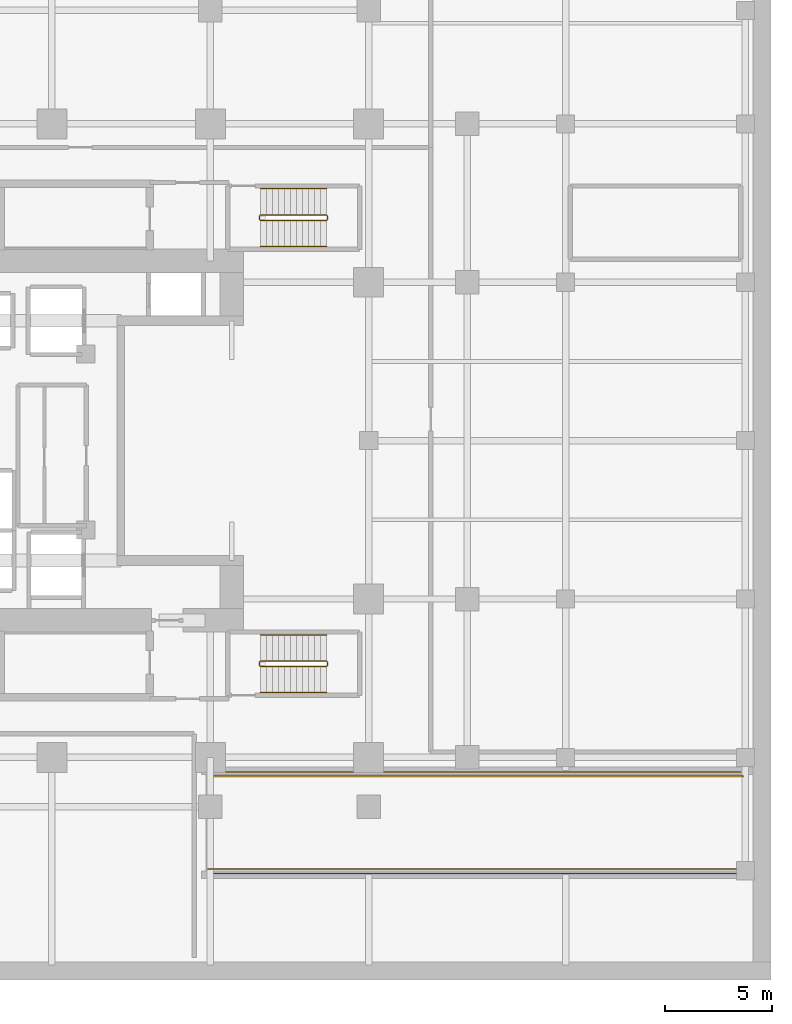
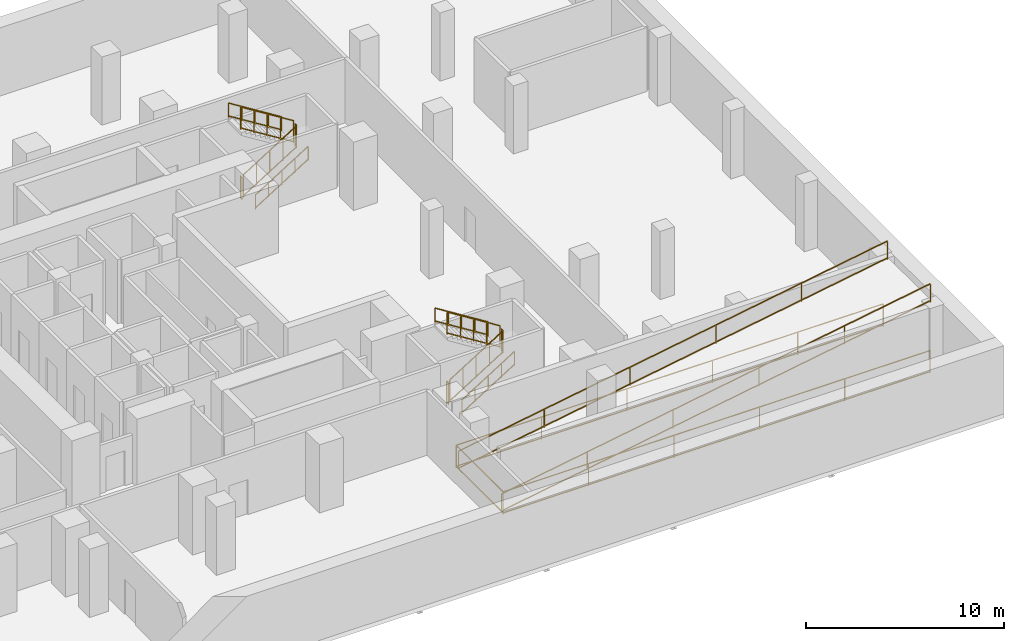
# One storey, part 7 of 7: 15 railings.
"""IFC4 building model written with IfcOpenShell, lengths in metres."""

import ifcopenshell
import ifcopenshell.guid

model = None  # the IFC model being written
_history = None  # IfcOwnerHistory: only IFC2X3 demands one
_inside = {}  # id of a spatial element -> (the spatial element, [elements in it])
_under = {}  # id of a project, library or spatial element -> (it, [spatial elements below it])
_declared = {}  # id of a project -> (the project, [libraries it declares])
_typed = {}  # id of a type object -> (the type object, [elements of that type])
_made_of = {}  # id of a material, layer set ... -> (it, [elements and type objects made of it])


def new_model(schema):
    """Start an empty IFC model of exactly this schema.

    Asked for "IFC4X3", IfcOpenShell would pick the latest addendum, in which some entities
    have other attributes; the version numbers below select the first issue.
    IFC2X3 requires an IfcOwnerHistory on every rooted entity: one is made here for all.
    """
    global model, _history
    if schema == "IFC4X3":
        model = ifcopenshell.file(schema_version=(4, 3, 0, 0))
    else:
        model = ifcopenshell.file(schema=schema)
    _inside.clear()
    _under.clear()
    _declared.clear()
    _typed.clear()
    _made_of.clear()
    _history = None
    if model.schema == "IFC2X3":
        org = make("IfcOrganization", Name="unknown")
        user = make(
            "IfcPersonAndOrganization",
            ThePerson=make("IfcPerson", FamilyName="unknown"),
            TheOrganization=org,
        )
        app = make(
            "IfcApplication",
            ApplicationDeveloper=org,
            Version="unknown",
            ApplicationFullName="unknown",
            ApplicationIdentifier="unknown",
        )
        _history = make(
            "IfcOwnerHistory",
            OwningUser=user,
            OwningApplication=app,
            ChangeAction="ADDED",
            CreationDate=0,
        )
    return model


def make(cls, **values):
    """One entity of the class cls with the attributes given. An attribute that is None is left unset."""
    return model.create_entity(
        cls, **{name: value for name, value in values.items() if value is not None}
    )


def rooted(cls, **values):
    """An entity with a GlobalId (a new one), such as an element, a storey or a relation."""
    return make(cls, GlobalId=ifcopenshell.guid.new(), OwnerHistory=_history, **values)


def si_unit(unit_type, name, prefix=None):
    """IfcSIUnit, for example si_unit("LENGTHUNIT", "METRE", prefix="MILLI")."""
    return make("IfcSIUnit", UnitType=unit_type, Prefix=prefix, Name=name)


def assignment(units):
    """IfcUnitAssignment: the units of a project."""
    return None if units is None else make("IfcUnitAssignment", Units=units)


def point(xyz):
    """IfcCartesianPoint."""
    return None if xyz is None else make("IfcCartesianPoint", Coordinates=xyz)


def direction(xyz):
    """IfcDirection."""
    return None if xyz is None else make("IfcDirection", DirectionRatios=xyz)


def frame(location, z_axis=None, x_axis=None):
    """IfcAxis2Placement3D, a coordinate frame: its origin and axes. An axis left out is left unset."""
    return make(
        "IfcAxis2Placement3D",
        Location=point(location),
        Axis=direction(z_axis),
        RefDirection=direction(x_axis),
    )


def frame_2d(location, x_axis=None):
    """IfcAxis2Placement2D, a coordinate frame in the plane: its origin and x axis."""
    return make(
        "IfcAxis2Placement2D", Location=point(location), RefDirection=direction(x_axis)
    )


def origin():
    """The frame at (0, 0, 0) with its axes left unset."""
    return frame((0.0, 0.0, 0.0))


def origin_2d():
    """The frame at (0, 0) in the plane with its x axis left unset."""
    return frame_2d((0.0, 0.0))


def place(relative_to, where):
    """IfcLocalPlacement: puts the frame where relative to a parent placement (None: the world)."""
    return make(
        "IfcLocalPlacement", PlacementRelTo=relative_to, RelativePlacement=where
    )


def context(
    kind, dimensions, precision=None, world=None, true_north=None, identifier=None
):
    """IfcGeometricRepresentationContext, for example the 3D "Model" context."""
    return make(
        "IfcGeometricRepresentationContext",
        ContextIdentifier=identifier,
        ContextType=kind,
        CoordinateSpaceDimension=dimensions,
        Precision=precision,
        WorldCoordinateSystem=world,
        TrueNorth=true_north,
    )


def subcontext(parent, identifier, kind, view, scale=None):
    """IfcGeometricRepresentationSubContext, for example "Body" below "Model"."""
    return make(
        "IfcGeometricRepresentationSubContext",
        ContextIdentifier=identifier,
        ContextType=kind,
        ParentContext=parent,
        TargetScale=scale,
        TargetView=view,
    )


def project(units=None, contexts=None):
    """IfcProject with its units and contexts."""
    return rooted(
        "IfcProject",
        Name="project",
        RepresentationContexts=contexts,
        UnitsInContext=assignment(units),
    )


def spatial(cls, under=None, at=None, **own):
    """A site, building, storey or space (cls), placed at a placement, below another one or the project."""
    s = rooted(cls, ObjectPlacement=at, **own)
    if under is not None:
        _under.setdefault(under.id(), (under, []))[1].append(s)
    return s


def profile(cls, at=None, kind="AREA", **sizes):
    """A parametric profile (cls). Its sizes go by their IFC names, for example OverallWidth=200.0."""
    return make(cls, ProfileType=kind, Position=at, **sizes)


def rectangle(**sizes):
    """IfcRectangleProfileDef."""
    return profile("IfcRectangleProfileDef", **sizes)


def extrude(swept, where, along, depth):
    """IfcExtrudedAreaSolid: the profile swept, set in the frame where, extruded along a direction by depth."""
    return make(
        "IfcExtrudedAreaSolid",
        SweptArea=swept,
        Position=where,
        ExtrudedDirection=direction(along),
        Depth=depth,
    )


def shape(context_of_items, identifier, shape_type, items):
    """IfcShapeRepresentation: the items that make up one representation, for example the "Body"."""
    return make(
        "IfcShapeRepresentation",
        ContextOfItems=context_of_items,
        RepresentationIdentifier=identifier,
        RepresentationType=shape_type,
        Items=items,
    )


def material(Name=None, Category=None):
    """IfcMaterial."""
    return make("IfcMaterial", Name=Name, Category=Category)


def made_of(thing, what):
    """Note that an element or type object is made of a material, layer set ...; save() writes the relation."""
    if what is not None:
        _made_of.setdefault(what.id(), (what, []))[1].append(thing)
    return thing


def type_object(cls, material=None, **own):
    """A type object (cls), such as IfcWallType, which elements share."""
    return made_of(rooted(cls, **own), material)


def element(
    cls,
    number,
    at=None,
    inside=None,
    cuts=None,
    type_object=None,
    material=None,
    context=None,
    identifier="Body",
    shape_type=None,
    held_by="IfcProductDefinitionShape",
    body=None,
    shapes=None,
    **own,
):
    """One element of the class cls, such as IfcWall. Its Tag is "e" and its number.

    at: its placement. inside: the storey or other place that contains it. cuts: it is an
    opening in that element (IfcRelVoidsElement). A single representation is given by context,
    identifier, shape_type and body (its items); several are given by shapes. held_by: the class
    of the entity that holds the representations. save() writes the other relations.
    """
    e = rooted(cls, Tag="e%d" % number, ObjectPlacement=at, **own)
    if body is not None:
        shapes = [shape(context, identifier, shape_type, body)]
    if shapes is not None:
        e.Representation = make(held_by, Representations=shapes)
    if inside is not None:
        _inside.setdefault(inside.id(), (inside, []))[1].append(e)
    if cuts is not None:
        rooted(
            "IfcRelVoidsElement", RelatingBuildingElement=cuts, RelatedOpeningElement=e
        )
    if type_object is not None:
        _typed.setdefault(type_object.id(), (type_object, []))[1].append(e)
    return made_of(e, material)


def aggregate(whole, parts):
    """IfcRelAggregates: a whole, such as a stair, and the parts it consists of."""
    return rooted("IfcRelAggregates", RelatingObject=whole, RelatedObjects=parts)


def save(model, path):
    """Write the relations noted so far, then the file.

    IfcRelAggregates (storeys below a building ...), IfcRelContainedInSpatialStructure (elements
    in a storey), IfcRelDefinesByType, IfcRelAssociatesMaterial and IfcRelDeclares: one each for
    every whole, place, type object, material and project.
    """
    for whole, parts in _under.values():
        aggregate(whole, parts)
    for where, things in _inside.values():
        rooted(
            "IfcRelContainedInSpatialStructure",
            RelatedElements=things,
            RelatingStructure=where,
        )
    for kind, things in _typed.values():
        rooted("IfcRelDefinesByType", RelatedObjects=things, RelatingType=kind)
    for what, things in _made_of.values():
        rooted("IfcRelAssociatesMaterial", RelatedObjects=things, RelatingMaterial=what)
    for by, libraries in _declared.values():
        rooted("IfcRelDeclares", RelatingContext=by, RelatedDefinitions=libraries)
    model.write(path)


model = new_model("IFC4")

# Units and contexts
model_context = context("Model", 3, precision=1e-05, world=origin(), true_north=direction((0.0, 1.0)))
body_context = subcontext(model_context, "Body", "Model", "MODEL_VIEW")
ifc_project = project(units=[si_unit("LENGTHUNIT", "METRE"), si_unit("AREAUNIT", "SQUARE_METRE"), si_unit("VOLUMEUNIT", "CUBIC_METRE"), si_unit("PLANEANGLEUNIT", "RADIAN"), si_unit("MASSUNIT", "GRAM", prefix="KILO")], contexts=[model_context])

# Site, building, storey
site_placement = place(None, origin())
site = spatial("IfcSite", under=ifc_project, at=site_placement, CompositionType="ELEMENT")
building_placement = place(site_placement, origin())
building = spatial("IfcBuilding", under=site, at=building_placement, Name="Khorvyn Point Tower", CompositionType="ELEMENT")
storey_placement = place(building_placement, frame((0.0, 0.0, -8.39990234375)))
storey = spatial("IfcBuildingStorey", under=building, at=storey_placement, Name="B2", CompositionType="ELEMENT", Elevation=-8.39990234375)

# Railings
ifc_material = material(Name="Stainless steel 1.4301", Category="steel")
railing_type_1 = type_object("IfcRailingType", Name="Stainless Steel 304 Stair Pitch Handrail 900", PredefinedType="HANDRAIL", material=ifc_material)
railing_1_placement = place(storey_placement, frame((9.75, -11.77001953125, 0.1748046875)))
element("IfcRailing", 1, at=railing_1_placement, inside=storey, type_object=railing_type_1, Name="B2 ST-B1 stair handrail 1", PredefinedType="HANDRAIL", context=body_context, shape_type="SweptSolid", body=[
    extrude(rectangle(XDim=0.048095703125, YDim=0.048095703125, at=origin_2d()), frame((0.0, 0.0, 0.8759765625), z_axis=(0.847998304005, 0.0, 0.529998940003), x_axis=(0.0, 1.0, 0.0)), (0.0, 0.0, 1.0), 3.632080078125),
    extrude(rectangle(XDim=0.048095703125, YDim=0.048095703125, at=origin_2d()), frame((0.0, 0.0, 0.080078125), z_axis=(0.847998304005, 0.0, 0.529998940003), x_axis=(0.0, 1.0, 0.0)), (0.0, 0.0, 1.0), 3.632080078125),
    extrude(rectangle(XDim=0.0419921875, YDim=0.0419921875, at=origin_2d()), origin(), (0.0, 0.0, 1.0), 0.851806640625),
    extrude(rectangle(XDim=0.0419921875, YDim=0.0419921875, at=origin_2d()), frame((0.77001953125, 0.0, 0.481201171875)), (0.0, 0.0, 1.0), 0.851806640625),
    extrude(rectangle(XDim=0.0419921875, YDim=0.0419921875, at=origin_2d()), frame((1.5400390625, 0.0, 0.96240234375)), (0.0, 0.0, 1.0), 0.851806640625),
    extrude(rectangle(XDim=0.0419921875, YDim=0.0419921875, at=origin_2d()), frame((2.31005859375, 0.0, 1.44384765625)), (0.0, 0.0, 1.0), 0.851806640625),
    extrude(rectangle(XDim=0.0419921875, YDim=0.0419921875, at=origin_2d()), frame((3.080078125, 0.0, 1.925048828125)), (0.0, 0.0, 1.0), 0.851806640625),
])
railing_2_placement = place(storey_placement, frame((12.830078125, -9.070068359375, 2.27490234375)))
element("IfcRailing", 2, at=railing_2_placement, inside=storey, type_object=railing_type_1, Name="B2 ST-B1 stair handrail 2", PredefinedType="HANDRAIL", context=body_context, shape_type="SweptSolid", body=[
    extrude(rectangle(XDim=0.048095703125, YDim=0.048095703125, at=origin_2d()), frame((0.0, 0.0, 0.8759765625), z_axis=(-0.847998304005, 0.0, 0.529998940003), x_axis=(0.0, -1.0, 0.0)), (0.0, 0.0, 1.0), 3.632080078125),
    extrude(rectangle(XDim=0.048095703125, YDim=0.048095703125, at=origin_2d()), frame((0.0, 0.0, 0.080078125), z_axis=(-0.847998304005, 0.0, 0.529998940003), x_axis=(0.0, -1.0, 0.0)), (0.0, 0.0, 1.0), 3.632080078125),
    extrude(rectangle(XDim=0.0419921875, YDim=0.0419921875, at=origin_2d()), origin(), (0.0, 0.0, 1.0), 0.851806640625),
    extrude(rectangle(XDim=0.0419921875, YDim=0.0419921875, at=origin_2d()), frame((-0.77001953125, 0.0, 0.481201171875)), (0.0, 0.0, 1.0), 0.851806640625),
    extrude(rectangle(XDim=0.0419921875, YDim=0.0419921875, at=origin_2d()), frame((-1.5400390625, 0.0, 0.96240234375)), (0.0, 0.0, 1.0), 0.851806640625),
    extrude(rectangle(XDim=0.0419921875, YDim=0.0419921875, at=origin_2d()), frame((-2.31005859375, 0.0, 1.44384765625)), (0.0, 0.0, 1.0), 0.851806640625),
    extrude(rectangle(XDim=0.0419921875, YDim=0.0419921875, at=origin_2d()), frame((-3.080078125, 0.0, 1.925048828125)), (0.0, 0.0, 1.0), 0.851806640625),
])
railing_3_placement = place(storey_placement, frame((9.75, 9.070068359375, 0.1748046875)))
element("IfcRailing", 3, at=railing_3_placement, inside=storey, type_object=railing_type_1, Name="B2 ST-B2 stair handrail 1", PredefinedType="HANDRAIL", context=body_context, shape_type="SweptSolid", body=[
    extrude(rectangle(XDim=0.048095703125, YDim=0.048095703125, at=origin_2d()), frame((0.0, 0.0, 0.8759765625), z_axis=(0.847998304005, 0.0, 0.529998940003), x_axis=(0.0, 1.0, 0.0)), (0.0, 0.0, 1.0), 3.632080078125),
    extrude(rectangle(XDim=0.048095703125, YDim=0.048095703125, at=origin_2d()), frame((0.0, 0.0, 0.080078125), z_axis=(0.847998304005, 0.0, 0.529998940003), x_axis=(0.0, 1.0, 0.0)), (0.0, 0.0, 1.0), 3.632080078125),
    extrude(rectangle(XDim=0.0419921875, YDim=0.0419921875, at=origin_2d()), origin(), (0.0, 0.0, 1.0), 0.851806640625),
    extrude(rectangle(XDim=0.0419921875, YDim=0.0419921875, at=origin_2d()), frame((0.77001953125, 0.0, 0.481201171875)), (0.0, 0.0, 1.0), 0.851806640625),
    extrude(rectangle(XDim=0.0419921875, YDim=0.0419921875, at=origin_2d()), frame((1.5400390625, 0.0, 0.96240234375)), (0.0, 0.0, 1.0), 0.851806640625),
    extrude(rectangle(XDim=0.0419921875, YDim=0.0419921875, at=origin_2d()), frame((2.31005859375, 0.0, 1.44384765625)), (0.0, 0.0, 1.0), 0.851806640625),
    extrude(rectangle(XDim=0.0419921875, YDim=0.0419921875, at=origin_2d()), frame((3.080078125, 0.0, 1.925048828125)), (0.0, 0.0, 1.0), 0.851806640625),
])
railing_4_placement = place(storey_placement, frame((12.830078125, 11.77001953125, 2.27490234375)))
element("IfcRailing", 4, at=railing_4_placement, inside=storey, type_object=railing_type_1, Name="B2 ST-B2 stair handrail 2", PredefinedType="HANDRAIL", context=body_context, shape_type="SweptSolid", body=[
    extrude(rectangle(XDim=0.048095703125, YDim=0.048095703125, at=origin_2d()), frame((0.0, 0.0, 0.8759765625), z_axis=(-0.847998304005, 0.0, 0.529998940003), x_axis=(0.0, -1.0, 0.0)), (0.0, 0.0, 1.0), 3.632080078125),
    extrude(rectangle(XDim=0.048095703125, YDim=0.048095703125, at=origin_2d()), frame((0.0, 0.0, 0.080078125), z_axis=(-0.847998304005, 0.0, 0.529998940003), x_axis=(0.0, -1.0, 0.0)), (0.0, 0.0, 1.0), 3.632080078125),
    extrude(rectangle(XDim=0.0419921875, YDim=0.0419921875, at=origin_2d()), origin(), (0.0, 0.0, 1.0), 0.851806640625),
    extrude(rectangle(XDim=0.0419921875, YDim=0.0419921875, at=origin_2d()), frame((-0.77001953125, 0.0, 0.481201171875)), (0.0, 0.0, 1.0), 0.851806640625),
    extrude(rectangle(XDim=0.0419921875, YDim=0.0419921875, at=origin_2d()), frame((-1.5400390625, 0.0, 0.96240234375)), (0.0, 0.0, 1.0), 0.851806640625),
    extrude(rectangle(XDim=0.0419921875, YDim=0.0419921875, at=origin_2d()), frame((-2.31005859375, 0.0, 1.44384765625)), (0.0, 0.0, 1.0), 0.851806640625),
    extrude(rectangle(XDim=0.0419921875, YDim=0.0419921875, at=origin_2d()), frame((-3.080078125, 0.0, 1.925048828125)), (0.0, 0.0, 1.0), 0.851806640625),
])
railing_type_2 = type_object("IfcRailingType", Name="Stainless Steel 304 Stair Well Guardrail 1400", PredefinedType="GUARDRAIL", material=ifc_material)
railing_5_placement = place(storey_placement, frame((9.75, -10.550048828125, 0.1748046875)))
element("IfcRailing", 5, at=railing_5_placement, inside=storey, type_object=railing_type_2, Name="B2 ST-B1 stair guard 1", PredefinedType="GUARDRAIL", context=body_context, shape_type="SweptSolid", body=[
    extrude(rectangle(XDim=0.048095703125, YDim=0.048095703125, at=origin_2d()), frame((0.0, 0.0, 1.3759765625), z_axis=(0.847998304005, 0.0, 0.529998940003), x_axis=(0.0, 1.0, 0.0)), (0.0, 0.0, 1.0), 3.632080078125),
    extrude(rectangle(XDim=0.048095703125, YDim=0.048095703125, at=origin_2d()), frame((0.0, 0.0, 0.080078125), z_axis=(0.847998304005, 0.0, 0.529998940003), x_axis=(0.0, 1.0, 0.0)), (0.0, 0.0, 1.0), 3.632080078125),
    extrude(rectangle(XDim=0.0419921875, YDim=0.0419921875, at=origin_2d()), origin(), (0.0, 0.0, 1.0), 1.351806640625),
    extrude(rectangle(XDim=0.0419921875, YDim=0.0419921875, at=origin_2d()), frame((0.77001953125, 0.0, 0.481201171875)), (0.0, 0.0, 1.0), 1.351806640625),
    extrude(rectangle(XDim=0.0419921875, YDim=0.0419921875, at=origin_2d()), frame((1.5400390625, 0.0, 0.96240234375)), (0.0, 0.0, 1.0), 1.351806640625),
    extrude(rectangle(XDim=0.0419921875, YDim=0.0419921875, at=origin_2d()), frame((2.31005859375, 0.0, 1.44384765625)), (0.0, 0.0, 1.0), 1.351806640625),
    extrude(rectangle(XDim=0.0419921875, YDim=0.0419921875, at=origin_2d()), frame((3.080078125, 0.0, 1.925048828125)), (0.0, 0.0, 1.0), 1.351806640625),
])
railing_6_placement = place(storey_placement, frame((12.8798828125, -10.5, 2.099853515625)))
element("IfcRailing", 6, at=railing_6_placement, inside=storey, type_object=railing_type_2, Name="B2 ST-B1 stair guard 2", PredefinedType="GUARDRAIL", context=body_context, shape_type="SweptSolid", body=[
    extrude(rectangle(XDim=0.048095703125, YDim=0.048095703125, at=origin_2d()), frame((0.0, 0.0, 1.3759765625), z_axis=(0.0, 1.0, 0.0), x_axis=(-1.0, 0.0, 0.0)), (0.0, 0.0, 1.0), 0.159912109375),
    extrude(rectangle(XDim=0.048095703125, YDim=0.048095703125, at=origin_2d()), frame((0.0, 0.0, 0.080078125), z_axis=(0.0, 1.0, 0.0), x_axis=(-1.0, 0.0, 0.0)), (0.0, 0.0, 1.0), 0.159912109375),
    extrude(rectangle(XDim=0.0419921875, YDim=0.0419921875, at=origin_2d()), origin(), (0.0, 0.0, 1.0), 1.351806640625),
    extrude(rectangle(XDim=0.0419921875, YDim=0.0419921875, at=origin_2d()), frame((0.0, 0.159912109375, 0.0)), (0.0, 0.0, 1.0), 1.351806640625),
])
railing_7_placement = place(storey_placement, frame((12.830078125, -10.2900390625, 2.27490234375)))
element("IfcRailing", 7, at=railing_7_placement, inside=storey, type_object=railing_type_2, Name="B2 ST-B1 stair guard 3", PredefinedType="GUARDRAIL", context=body_context, shape_type="SweptSolid", body=[
    extrude(rectangle(XDim=0.048095703125, YDim=0.048095703125, at=origin_2d()), frame((0.0, 0.0, 1.3759765625), z_axis=(-0.847998304005, 0.0, 0.529998940003), x_axis=(0.0, -1.0, 0.0)), (0.0, 0.0, 1.0), 3.632080078125),
    extrude(rectangle(XDim=0.048095703125, YDim=0.048095703125, at=origin_2d()), frame((0.0, 0.0, 0.080078125), z_axis=(-0.847998304005, 0.0, 0.529998940003), x_axis=(0.0, -1.0, 0.0)), (0.0, 0.0, 1.0), 3.632080078125),
    extrude(rectangle(XDim=0.0419921875, YDim=0.0419921875, at=origin_2d()), origin(), (0.0, 0.0, 1.0), 1.351806640625),
    extrude(rectangle(XDim=0.0419921875, YDim=0.0419921875, at=origin_2d()), frame((-0.77001953125, 0.0, 0.481201171875)), (0.0, 0.0, 1.0), 1.351806640625),
    extrude(rectangle(XDim=0.0419921875, YDim=0.0419921875, at=origin_2d()), frame((-1.5400390625, 0.0, 0.96240234375)), (0.0, 0.0, 1.0), 1.351806640625),
    extrude(rectangle(XDim=0.0419921875, YDim=0.0419921875, at=origin_2d()), frame((-2.31005859375, 0.0, 1.44384765625)), (0.0, 0.0, 1.0), 1.351806640625),
    extrude(rectangle(XDim=0.0419921875, YDim=0.0419921875, at=origin_2d()), frame((-3.080078125, 0.0, 1.925048828125)), (0.0, 0.0, 1.0), 1.351806640625),
])
railing_8_placement = place(storey_placement, frame((9.699951171875, -10.5, 0.0)))
element("IfcRailing", 8, at=railing_8_placement, inside=storey, type_object=railing_type_2, Name="B2 ST-B1 stair guard 4", PredefinedType="GUARDRAIL", context=body_context, shape_type="SweptSolid", body=[
    extrude(rectangle(XDim=0.048095703125, YDim=0.048095703125, at=origin_2d()), frame((0.0, 0.0, 1.3759765625), z_axis=(0.0, 1.0, 0.0), x_axis=(-1.0, 0.0, 0.0)), (0.0, 0.0, 1.0), 0.159912109375),
    extrude(rectangle(XDim=0.048095703125, YDim=0.048095703125, at=origin_2d()), frame((0.0, 0.0, 0.080078125), z_axis=(0.0, 1.0, 0.0), x_axis=(-1.0, 0.0, 0.0)), (0.0, 0.0, 1.0), 0.159912109375),
    extrude(rectangle(XDim=0.0419921875, YDim=0.0419921875, at=origin_2d()), origin(), (0.0, 0.0, 1.0), 1.351806640625),
    extrude(rectangle(XDim=0.0419921875, YDim=0.0419921875, at=origin_2d()), frame((0.0, 0.159912109375, 0.0)), (0.0, 0.0, 1.0), 1.351806640625),
])
railing_9_placement = place(storey_placement, frame((9.75, 10.2900390625, 0.1748046875)))
element("IfcRailing", 9, at=railing_9_placement, inside=storey, type_object=railing_type_2, Name="B2 ST-B2 stair guard 1", PredefinedType="GUARDRAIL", context=body_context, shape_type="SweptSolid", body=[
    extrude(rectangle(XDim=0.048095703125, YDim=0.048095703125, at=origin_2d()), frame((0.0, 0.0, 1.3759765625), z_axis=(0.847998304005, 0.0, 0.529998940003), x_axis=(0.0, 1.0, 0.0)), (0.0, 0.0, 1.0), 3.632080078125),
    extrude(rectangle(XDim=0.048095703125, YDim=0.048095703125, at=origin_2d()), frame((0.0, 0.0, 0.080078125), z_axis=(0.847998304005, 0.0, 0.529998940003), x_axis=(0.0, 1.0, 0.0)), (0.0, 0.0, 1.0), 3.632080078125),
    extrude(rectangle(XDim=0.0419921875, YDim=0.0419921875, at=origin_2d()), origin(), (0.0, 0.0, 1.0), 1.351806640625),
    extrude(rectangle(XDim=0.0419921875, YDim=0.0419921875, at=origin_2d()), frame((0.77001953125, 0.0, 0.481201171875)), (0.0, 0.0, 1.0), 1.351806640625),
    extrude(rectangle(XDim=0.0419921875, YDim=0.0419921875, at=origin_2d()), frame((1.5400390625, 0.0, 0.96240234375)), (0.0, 0.0, 1.0), 1.351806640625),
    extrude(rectangle(XDim=0.0419921875, YDim=0.0419921875, at=origin_2d()), frame((2.31005859375, 0.0, 1.44384765625)), (0.0, 0.0, 1.0), 1.351806640625),
    extrude(rectangle(XDim=0.0419921875, YDim=0.0419921875, at=origin_2d()), frame((3.080078125, 0.0, 1.925048828125)), (0.0, 0.0, 1.0), 1.351806640625),
])
railing_10_placement = place(storey_placement, frame((12.8798828125, 10.340087890625, 2.099853515625)))
element("IfcRailing", 10, at=railing_10_placement, inside=storey, type_object=railing_type_2, Name="B2 ST-B2 stair guard 2", PredefinedType="GUARDRAIL", context=body_context, shape_type="SweptSolid", body=[
    extrude(rectangle(XDim=0.048095703125, YDim=0.048095703125, at=origin_2d()), frame((0.0, 0.0, 1.3759765625), z_axis=(0.0, 1.0, 0.0), x_axis=(-1.0, 0.0, 0.0)), (0.0, 0.0, 1.0), 0.159912109375),
    extrude(rectangle(XDim=0.048095703125, YDim=0.048095703125, at=origin_2d()), frame((0.0, 0.0, 0.080078125), z_axis=(0.0, 1.0, 0.0), x_axis=(-1.0, 0.0, 0.0)), (0.0, 0.0, 1.0), 0.159912109375),
    extrude(rectangle(XDim=0.0419921875, YDim=0.0419921875, at=origin_2d()), origin(), (0.0, 0.0, 1.0), 1.351806640625),
    extrude(rectangle(XDim=0.0419921875, YDim=0.0419921875, at=origin_2d()), frame((0.0, 0.159912109375, 0.0)), (0.0, 0.0, 1.0), 1.351806640625),
])
railing_11_placement = place(storey_placement, frame((12.830078125, 10.550048828125, 2.27490234375)))
element("IfcRailing", 11, at=railing_11_placement, inside=storey, type_object=railing_type_2, Name="B2 ST-B2 stair guard 3", PredefinedType="GUARDRAIL", context=body_context, shape_type="SweptSolid", body=[
    extrude(rectangle(XDim=0.048095703125, YDim=0.048095703125, at=origin_2d()), frame((0.0, 0.0, 1.3759765625), z_axis=(-0.847998304005, 0.0, 0.529998940003), x_axis=(0.0, -1.0, 0.0)), (0.0, 0.0, 1.0), 3.632080078125),
    extrude(rectangle(XDim=0.048095703125, YDim=0.048095703125, at=origin_2d()), frame((0.0, 0.0, 0.080078125), z_axis=(-0.847998304005, 0.0, 0.529998940003), x_axis=(0.0, -1.0, 0.0)), (0.0, 0.0, 1.0), 3.632080078125),
    extrude(rectangle(XDim=0.0419921875, YDim=0.0419921875, at=origin_2d()), origin(), (0.0, 0.0, 1.0), 1.351806640625),
    extrude(rectangle(XDim=0.0419921875, YDim=0.0419921875, at=origin_2d()), frame((-0.77001953125, 0.0, 0.481201171875)), (0.0, 0.0, 1.0), 1.351806640625),
    extrude(rectangle(XDim=0.0419921875, YDim=0.0419921875, at=origin_2d()), frame((-1.5400390625, 0.0, 0.96240234375)), (0.0, 0.0, 1.0), 1.351806640625),
    extrude(rectangle(XDim=0.0419921875, YDim=0.0419921875, at=origin_2d()), frame((-2.31005859375, 0.0, 1.44384765625)), (0.0, 0.0, 1.0), 1.351806640625),
    extrude(rectangle(XDim=0.0419921875, YDim=0.0419921875, at=origin_2d()), frame((-3.080078125, 0.0, 1.925048828125)), (0.0, 0.0, 1.0), 1.351806640625),
])
railing_12_placement = place(storey_placement, frame((9.699951171875, 10.340087890625, 0.0)))
element("IfcRailing", 12, at=railing_12_placement, inside=storey, type_object=railing_type_2, Name="B2 ST-B2 stair guard 4", PredefinedType="GUARDRAIL", context=body_context, shape_type="SweptSolid", body=[
    extrude(rectangle(XDim=0.048095703125, YDim=0.048095703125, at=origin_2d()), frame((0.0, 0.0, 1.3759765625), z_axis=(0.0, 1.0, 0.0), x_axis=(-1.0, 0.0, 0.0)), (0.0, 0.0, 1.0), 0.159912109375),
    extrude(rectangle(XDim=0.048095703125, YDim=0.048095703125, at=origin_2d()), frame((0.0, 0.0, 0.080078125), z_axis=(0.0, 1.0, 0.0), x_axis=(-1.0, 0.0, 0.0)), (0.0, 0.0, 1.0), 0.159912109375),
    extrude(rectangle(XDim=0.0419921875, YDim=0.0419921875, at=origin_2d()), origin(), (0.0, 0.0, 1.0), 1.351806640625),
    extrude(rectangle(XDim=0.0419921875, YDim=0.0419921875, at=origin_2d()), frame((0.0, 0.159912109375, 0.0)), (0.0, 0.0, 1.0), 1.351806640625),
])
railing_13_placement = place(storey_placement, frame((32.169921875, -20.219970703125, 0.0)))
element("IfcRailing", 13, at=railing_13_placement, inside=storey, type_object=railing_type_2, Name="B2 Vehicle Ramp Well Guardrail", PredefinedType="GUARDRAIL", context=body_context, shape_type="SweptSolid", body=[
    extrude(rectangle(XDim=0.048095703125, YDim=0.048095703125, at=origin_2d()), frame((0.0, 0.0, 1.3759765625), z_axis=(-1.0, 0.0, 0.0), x_axis=(0.0, -1.0, 0.0)), (0.0, 0.0, 1.0), 24.889892578125),
    extrude(rectangle(XDim=0.048095703125, YDim=0.048095703125, at=origin_2d()), frame((0.0, 0.0, 0.080078125), z_axis=(-1.0, 0.0, 0.0), x_axis=(0.0, -1.0, 0.0)), (0.0, 0.0, 1.0), 24.889892578125),
    extrude(rectangle(XDim=0.048095703125, YDim=0.048095703125, at=origin_2d()), frame((-24.889892578125, 0.0, 1.3759765625), z_axis=(0.0, 1.0, 0.0), x_axis=(-1.0, 0.0, 0.0)), (0.0, 0.0, 1.0), 4.739990234375),
    extrude(rectangle(XDim=0.048095703125, YDim=0.048095703125, at=origin_2d()), frame((-24.889892578125, 0.0, 0.080078125), z_axis=(0.0, 1.0, 0.0), x_axis=(-1.0, 0.0, 0.0)), (0.0, 0.0, 1.0), 4.739990234375),
    extrude(rectangle(XDim=0.048095703125, YDim=0.048095703125, at=origin_2d()), frame((-24.889892578125, 4.739990234375, 1.3759765625), z_axis=(1.0, 0.0, 0.0), x_axis=(0.0, 1.0, 0.0)), (0.0, 0.0, 1.0), 24.889892578125),
    extrude(rectangle(XDim=0.048095703125, YDim=0.048095703125, at=origin_2d()), frame((-24.889892578125, 4.739990234375, 0.080078125), z_axis=(1.0, 0.0, 0.0), x_axis=(0.0, 1.0, 0.0)), (0.0, 0.0, 1.0), 24.889892578125),
    extrude(rectangle(XDim=0.0419921875, YDim=0.0419921875, at=origin_2d()), origin(), (0.0, 0.0, 1.0), 1.351806640625),
    extrude(rectangle(XDim=0.0419921875, YDim=0.0419921875, at=origin_2d()), frame((-4.97802734375, 0.0, 0.0)), (0.0, 0.0, 1.0), 1.351806640625),
    extrude(rectangle(XDim=0.0419921875, YDim=0.0419921875, at=origin_2d()), frame((-9.9560546875, 0.0, 0.0)), (0.0, 0.0, 1.0), 1.351806640625),
    extrude(rectangle(XDim=0.0419921875, YDim=0.0419921875, at=origin_2d()), frame((-14.933837890625, 0.0, 0.0)), (0.0, 0.0, 1.0), 1.351806640625),
    extrude(rectangle(XDim=0.0419921875, YDim=0.0419921875, at=origin_2d()), frame((-19.911865234375, 0.0, 0.0)), (0.0, 0.0, 1.0), 1.351806640625),
    extrude(rectangle(XDim=0.0419921875, YDim=0.0419921875, at=origin_2d()), frame((-24.889892578125, 0.0, 0.0)), (0.0, 0.0, 1.0), 1.351806640625),
    extrude(rectangle(XDim=0.0419921875, YDim=0.0419921875, at=origin_2d()), frame((-24.889892578125, 4.739990234375, 0.0)), (0.0, 0.0, 1.0), 1.351806640625),
    extrude(rectangle(XDim=0.0419921875, YDim=0.0419921875, at=origin_2d()), frame((-19.911865234375, 4.739990234375, 0.0)), (0.0, 0.0, 1.0), 1.351806640625),
    extrude(rectangle(XDim=0.0419921875, YDim=0.0419921875, at=origin_2d()), frame((-14.933837890625, 4.739990234375, 0.0)), (0.0, 0.0, 1.0), 1.351806640625),
    extrude(rectangle(XDim=0.0419921875, YDim=0.0419921875, at=origin_2d()), frame((-9.9560546875, 4.739990234375, 0.0)), (0.0, 0.0, 1.0), 1.351806640625),
    extrude(rectangle(XDim=0.0419921875, YDim=0.0419921875, at=origin_2d()), frame((-4.97802734375, 4.739990234375, 0.0)), (0.0, 0.0, 1.0), 1.351806640625),
    extrude(rectangle(XDim=0.0419921875, YDim=0.0419921875, at=origin_2d()), frame((0.0, 4.739990234375, 0.0)), (0.0, 0.0, 1.0), 1.351806640625),
])
for number, where, name in (
    (14, (7.300048828125, -20.02001953125, 0.0), "B2 VR-02 Ramp Guard S"),
    (15, (7.300048828125, -15.679931640625, 0.0), "B2 VR-02 Ramp Guard N"),
):
    element("IfcRailing", number, at=place(storey_placement, frame(where)), inside=storey, type_object=railing_type_2, Name=name, PredefinedType="GUARDRAIL", context=body_context, shape_type="SweptSolid", body=[
        extrude(rectangle(XDim=0.048095703125, YDim=0.048095703125, at=origin_2d()), frame((0.0, 0.0, 1.1259765625), z_axis=(0.986180180778, 0.0, 0.165676344238), x_axis=(0.0, 1.0, 0.0)), (0.0, 0.0, 1.0), 25.350341796875),
        extrude(rectangle(XDim=0.048095703125, YDim=0.048095703125, at=origin_2d()), frame((0.0, 0.0, 0.080078125), z_axis=(0.986180180778, 0.0, 0.165676344238), x_axis=(0.0, 1.0, 0.0)), (0.0, 0.0, 1.0), 25.350341796875),
        extrude(rectangle(XDim=0.0419921875, YDim=0.0419921875, at=origin_2d()), origin(), (0.0, 0.0, 1.0), 1.101806640625),
        extrude(rectangle(XDim=0.0419921875, YDim=0.0419921875, at=origin_2d()), frame((5.0, 0.0, 0.840087890625)), (0.0, 0.0, 1.0), 1.101806640625),
        extrude(rectangle(XDim=0.0419921875, YDim=0.0419921875, at=origin_2d()), frame((10.0, 0.0, 1.679931640625)), (0.0, 0.0, 1.0), 1.101806640625),
        extrude(rectangle(XDim=0.0419921875, YDim=0.0419921875, at=origin_2d()), frame((15.0, 0.0, 2.52001953125)), (0.0, 0.0, 1.0), 1.101806640625),
        extrude(rectangle(XDim=0.0419921875, YDim=0.0419921875, at=origin_2d()), frame((20.0, 0.0, 3.35986328125)), (0.0, 0.0, 1.0), 1.101806640625),
        extrude(rectangle(XDim=0.0419921875, YDim=0.0419921875, at=origin_2d()), frame((25.0, 0.0, 4.199951171875)), (0.0, 0.0, 1.0), 1.101806640625),
    ])

save(model, "model.ifc")
